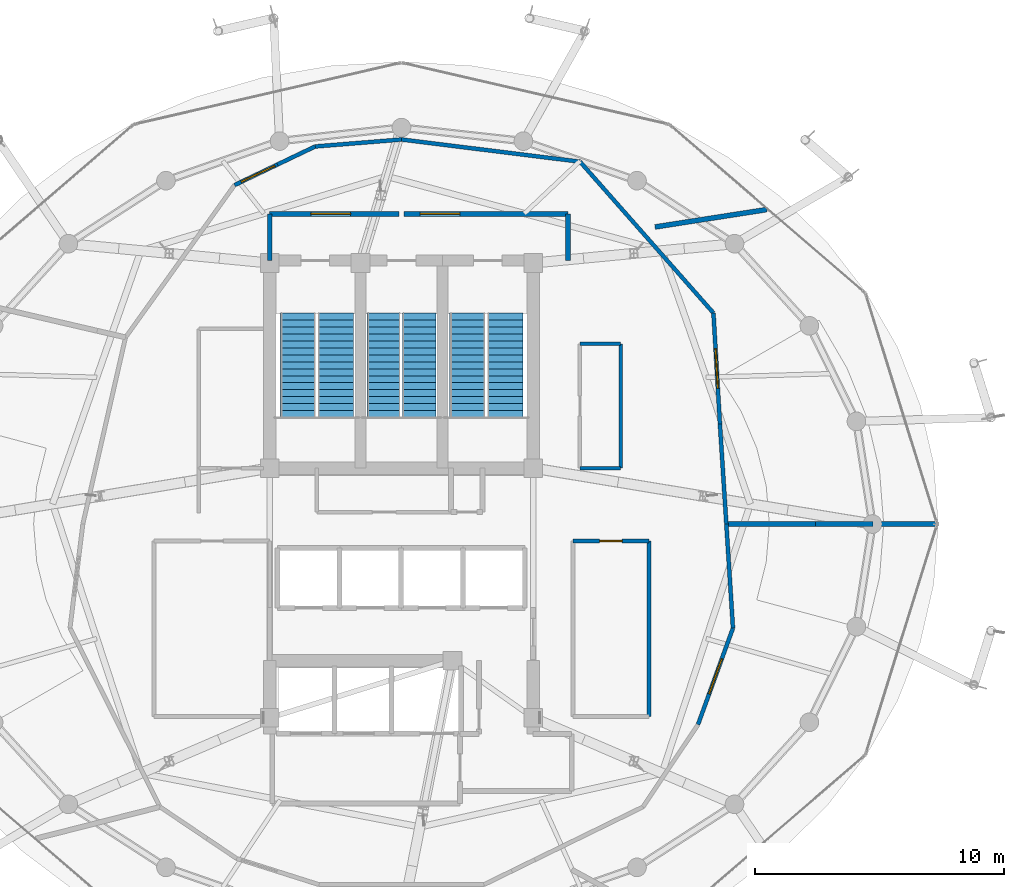
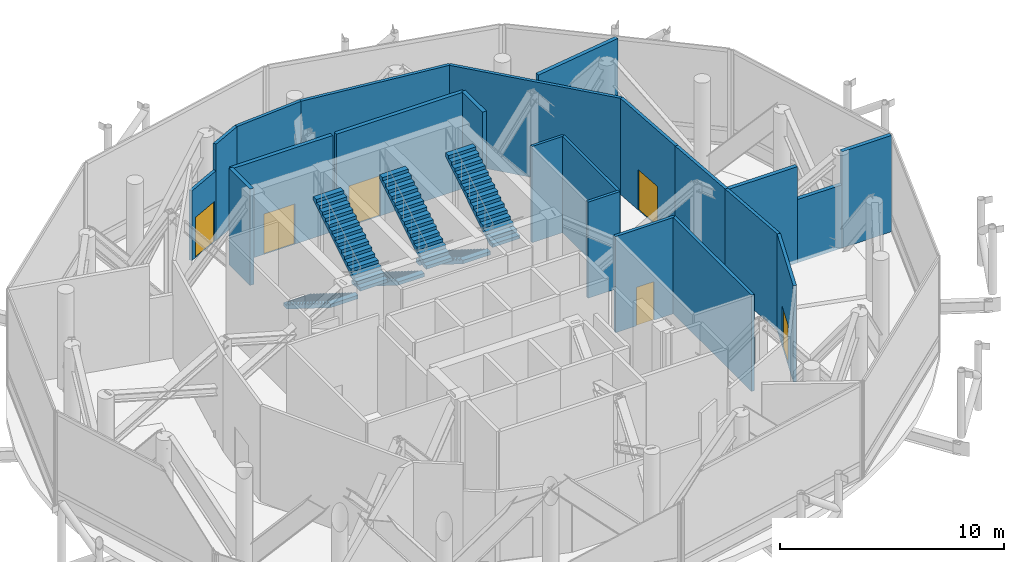
# One storey, part 20 of 26: 22 walls, 6 doors, 6 stair flights, 6 openings, 3 elements without a shape of their own.
"""IFC4 building model written with IfcOpenShell, lengths in metres."""

from ifc_helpers import new_model, si_unit, direction, frame, frame_2d, origin, place, context, subcontext, project, spatial, polyline, rectangle, outline, extrude, material, layer, layer_set, type_object, element, fill, aggregate, save


model = new_model("IFC4")

# Units and contexts
model_context = context("Model", 3, precision=1e-05, world=origin(), true_north=direction((0.0, 1.0)))
body_context = subcontext(model_context, "Body", "Model", "MODEL_VIEW")
ifc_project = project(units=[si_unit("LENGTHUNIT", "METRE"), si_unit("AREAUNIT", "SQUARE_METRE"), si_unit("VOLUMEUNIT", "CUBIC_METRE"), si_unit("PLANEANGLEUNIT", "RADIAN"), si_unit("MASSUNIT", "GRAM", prefix="KILO")], contexts=[model_context])

# Site, building, storey
site_placement = place(None, origin())
site = spatial("IfcSite", under=ifc_project, at=site_placement, CompositionType="ELEMENT")
building_placement = place(site_placement, origin())
building = spatial("IfcBuilding", under=site, at=building_placement, Name="Nuhasar Tower", CompositionType="ELEMENT")
storey_placement = place(building_placement, frame((0.0, 0.0, 301.199951171875)))
storey = spatial("IfcBuildingStorey", under=building, at=storey_placement, Name="L75", CompositionType="ELEMENT", Elevation=301.199951171875)

# Wall
ifc_material_1 = material(Name="Gypsum Board", Category="gypsum")
ifc_layer_1 = layer(ifc_material_1, 0.159912109375)
ifc_layer_set_1 = layer_set([ifc_layer_1], Name="Gypsum Board")
wall_type_1 = type_object("IfcWallType", Name="WL-CORR-160", PredefinedType="PARTITIONING", material=ifc_layer_set_1)
wall_1_placement = place(storey_placement, frame((48.949951171875, 19.050048828125, 0.0), z_axis=(0.0, 0.0, 1.0), x_axis=(0.0, 1.0, 0.0)))
element("IfcWall", 1, at=wall_1_placement, inside=storey, type_object=wall_type_1, Name="L75 Interior Partition RECL-B2-E", PredefinedType="PARTITIONING", context=body_context, shape_type="SweptSolid", body=[
    extrude(rectangle(XDim=7.070068359375, YDim=0.159912109375, at=frame_2d((3.53515625, 0.0))), origin(), (0.0, 0.0, 1.0), 5.25),
])

# Wall, opening, door
wall_2_placement = place(storey_placement, frame((48.949951171875, 26.1201171875, 0.0), z_axis=(0.0, 0.0, 1.0), x_axis=(-1.0, 0.0, 0.0)))
wall_2 = element("IfcWall", 2, at=wall_2_placement, inside=storey, type_object=wall_type_1, Name="L75 Interior Partition RECL-B2-N", PredefinedType="PARTITIONING", context=body_context, shape_type="SweptSolid", body=[
    extrude(rectangle(XDim=3.050048828125, YDim=0.159912109375, at=frame_2d((1.52490234375, 0.0))), origin(), (0.0, 0.0, 1.0), 5.25),
])
opening_1_placement = place(wall_2_placement, frame((1.074951171875, 0.0, 0.0)))
opening_1 = element("IfcOpeningElement", 3, at=opening_1_placement, cuts=wall_2, Name="Opening DR-01", PredefinedType="OPENING", context=body_context, shape_type="SweptSolid", body=[
    extrude(rectangle(XDim=0.89990234375, YDim=2.10009765625, at=frame_2d((0.449951171875, 1.050048828125))), frame((0.0, 0.08984375, 0.0), z_axis=(0.0, -1.0, 0.0), x_axis=(1.0, 0.0, 0.0)), (0.0, 0.0, 1.0), 0.179931640625),
])
ifc_material_2 = material(Name="Timber Oak", Category="wood")
door_type_1 = type_object("IfcDoorType", Name="DR-ROOM-900", OperationType="NOTDEFINED", PredefinedType="DOOR", material=ifc_material_2)
door_1_placement = place(opening_1_placement, origin())
door_1 = element("IfcDoor", 4, at=door_1_placement, inside=storey, type_object=door_type_1, Name="L75 Resident Library Door", OperationType="SINGLE_SWING_LEFT", OverallHeight=2.10009765625, OverallWidth=0.89990234375, PredefinedType="DOOR", context=body_context, shape_type="SweptSolid", body=[
    extrude(rectangle(XDim=0.89990234375, YDim=2.10009765625, at=frame_2d((0.449951171875, 1.050048828125))), frame((0.0, 0.02490234375, 0.0), z_axis=(0.0, -1.0, 0.0), x_axis=(1.0, 0.0, 0.0)), (0.0, 0.0, 1.0), 0.050048828125),
])
fill(opening_1, door_1)

# Wall
wall_3_placement = place(storey_placement, frame((52.070068359375, 26.800048828125, 0.0), z_axis=(0.0, 0.0, 1.0), x_axis=(-0.064030047677, 0.997947971086, 0.0)))
element("IfcWall", 5, at=wall_3_placement, inside=storey, type_object=wall_type_1, Name="L75 Interior Partition CORR-00", PredefinedType="PARTITIONING", context=body_context, shape_type="SweptSolid", body=[
    extrude(rectangle(XDim=4.0302734375, YDim=0.159912109375, at=frame_2d((2.01513671875, 0.0))), origin(), (0.0, 0.0, 1.0), 5.25),
])

# Wall, opening, door
wall_4_placement = place(storey_placement, frame((51.552001953125, 35.291015625, 0.0), z_axis=(0.0, 0.0, 1.0), x_axis=(0.058082602913, -0.998311780577, 0.0)))
wall_4 = element("IfcWall", 6, at=wall_4_placement, inside=storey, type_object=wall_type_1, Name="L75 Interior Partition CORR-02", PredefinedType="PARTITIONING", context=body_context, shape_type="SweptSolid", body=[
    extrude(rectangle(XDim=4.4765625, YDim=0.159912109375, at=frame_2d((2.23828125, 0.0))), origin(), (0.0, 0.0, 1.0), 5.25),
])
opening_2_placement = place(wall_4_placement, frame((1.43798828125, 0.0, 0.0)))
opening_2 = element("IfcOpeningElement", 7, at=opening_2_placement, cuts=wall_4, Name="Opening DC-01", PredefinedType="OPENING", context=body_context, shape_type="SweptSolid", body=[
    extrude(rectangle(XDim=1.60009765625, YDim=2.199951171875, at=frame_2d((0.800048828125, 1.10009765625))), frame((0.0, 0.08984375, 0.0), z_axis=(0.0, -1.0, 0.0), x_axis=(1.0, 0.0, 0.0)), (0.0, 0.0, 1.0), 0.179931640625),
])
ifc_material_3 = material(Name="Steel S355", Category="steel")
door_type_2 = type_object("IfcDoorType", Name="DR-CORR-FD60-1600", OperationType="DOUBLE_DOOR_SINGLE_SWING", PredefinedType="DOOR", material=ifc_material_3)
door_2_placement = place(opening_2_placement, origin())
door_2 = element("IfcDoor", 8, at=door_2_placement, inside=storey, type_object=door_type_2, Name="L75 East Refuge Area Door", OperationType="DOUBLE_DOOR_SINGLE_SWING", OverallHeight=2.199951171875, OverallWidth=1.60009765625, PredefinedType="DOOR", context=body_context, shape_type="SweptSolid", body=[
    extrude(rectangle(XDim=1.60009765625, YDim=2.199951171875, at=frame_2d((0.800048828125, 1.10009765625))), frame((0.0, 0.02490234375, 0.0), z_axis=(0.0, -1.0, 0.0), x_axis=(1.0, 0.0, 0.0)), (0.0, 0.0, 1.0), 0.050048828125),
])
fill(opening_2, door_2)

# Walls
wall_5_placement = place(storey_placement, frame((51.552001953125, 35.291015625, 0.0), z_axis=(0.0, 0.0, 1.0), x_axis=(-0.661421630005, 0.750014284772, 0.0)))
element("IfcWall", 9, at=wall_5_placement, inside=storey, type_object=wall_type_1, Name="L75 Interior Partition CORR-04", PredefinedType="PARTITIONING", context=body_context, shape_type="SweptSolid", body=[
    extrude(rectangle(XDim=8.11572265625, YDim=0.159912109375, at=frame_2d((4.057861328125, 0.0))), origin(), (0.0, 0.0, 1.0), 5.25),
])
wall_6_placement = place(storey_placement, frame((46.18408203125, 41.3779296875, 0.0), z_axis=(0.0, 0.0, 1.0), x_axis=(-0.992378204756, 0.12322945559, 0.0)))
element("IfcWall", 10, at=wall_6_placement, inside=storey, type_object=wall_type_1, Name="L75 Interior Partition CORR-08", PredefinedType="PARTITIONING", context=body_context, shape_type="SweptSolid", body=[
    extrude(rectangle(XDim=7.2392578125, YDim=0.159912109375, at=frame_2d((3.61962890625, 0.0))), origin(), (0.0, 0.0, 1.0), 5.25),
])
wall_7_placement = place(storey_placement, frame((39.0, 42.27001953125, 0.0), z_axis=(0.0, 0.0, 1.0), x_axis=(-0.99676721303, -0.080343780277, 0.0)))
element("IfcWall", 11, at=wall_7_placement, inside=storey, type_object=wall_type_1, Name="L75 Interior Partition CORR-12", PredefinedType="PARTITIONING", context=body_context, shape_type="SweptSolid", body=[
    extrude(rectangle(XDim=3.4853515625, YDim=0.159912109375, at=frame_2d((1.74267578125, 0.0))), origin(), (0.0, 0.0, 1.0), 5.25),
])

# Wall, opening, door
wall_8_placement = place(storey_placement, frame((32.281005859375, 40.43603515625, 0.0), z_axis=(0.0, 0.0, 1.0), x_axis=(0.90176860417, 0.432219139481, 0.0)))
wall_8 = element("IfcWall", 12, at=wall_8_placement, inside=storey, type_object=wall_type_1, Name="L75 Interior Partition CORR-14", PredefinedType="PARTITIONING", context=body_context, shape_type="SweptSolid", body=[
    extrude(rectangle(XDim=1.9228515625, YDim=0.159912109375, at=frame_2d((0.96142578125, 0.0))), origin(), (0.0, 0.0, 1.0), 3.800048828125),
])
opening_3_placement = place(wall_8_placement, frame((0.302978515625, 0.0, 0.0)))
opening_3 = element("IfcOpeningElement", 13, at=opening_3_placement, cuts=wall_8, Name="Opening DP-01", PredefinedType="OPENING", context=body_context, shape_type="SweptSolid", body=[
    extrude(rectangle(XDim=1.5, YDim=2.199951171875, at=frame_2d((0.75, 1.10009765625))), frame((0.0, 0.08984375, 0.0), z_axis=(0.0, -1.0, 0.0), x_axis=(1.0, 0.0, 0.0)), (0.0, 0.0, 1.0), 0.179931640625),
])
door_type_3 = type_object("IfcDoorType", Name="DR-PLANT-FD120-1500", OperationType="DOUBLE_DOOR_SINGLE_SWING", PredefinedType="DOOR", material=ifc_material_3)
door_3_placement = place(opening_3_placement, origin())
door_3 = element("IfcDoor", 14, at=door_3_placement, inside=storey, type_object=door_type_3, Name="L75 North AHU Mechanical Plant Door", OperationType="DOUBLE_DOOR_SINGLE_SWING", OverallHeight=2.199951171875, OverallWidth=1.5, PredefinedType="DOOR", context=body_context, shape_type="SweptSolid", body=[
    extrude(rectangle(XDim=1.5, YDim=2.199951171875, at=frame_2d((0.75, 1.10009765625))), frame((0.0, 0.02490234375, 0.0), z_axis=(0.0, -1.0, 0.0), x_axis=(1.0, 0.0, 0.0)), (0.0, 0.0, 1.0), 0.050048828125),
])
fill(opening_3, door_3)

# Wall
wall_9_placement = place(storey_placement, frame((34.014892578125, 41.26708984375, 0.0), z_axis=(0.0, 0.0, 1.0), x_axis=(0.902075014366, 0.431579272506, 0.0)))
element("IfcWall", 15, at=wall_9_placement, inside=storey, type_object=wall_type_1, Name="L75 Interior Partition CORR-14", PredefinedType="PARTITIONING", context=body_context, shape_type="SweptSolid", body=[
    extrude(rectangle(XDim=1.675048828125, YDim=0.159912109375, at=frame_2d((0.83740234375, 0.0))), origin(), (0.0, 0.0, 1.0), 5.25),
])

# Wall, opening, door
wall_10_placement = place(storey_placement, frame((52.3369140625, 22.614013671875, 0.0), z_axis=(0.0, 0.0, 1.0), x_axis=(-0.34058972089, -0.940212019719, 0.0)))
wall_10 = element("IfcWall", 16, at=wall_10_placement, inside=storey, type_object=wall_type_1, Name="L75 Interior Partition CORR-44", PredefinedType="PARTITIONING", context=body_context, shape_type="SweptSolid", body=[
    extrude(rectangle(XDim=4.131103515625, YDim=0.159912109375, at=frame_2d((2.0654296875, 0.0))), origin(), (0.0, 0.0, 1.0), 5.25),
])
opening_4_placement = place(wall_10_placement, frame((1.31494140625, 0.0, 0.0)))
opening_4 = element("IfcOpeningElement", 17, at=opening_4_placement, cuts=wall_10, Name="Opening DP-01", PredefinedType="OPENING", context=body_context, shape_type="SweptSolid", body=[
    extrude(rectangle(XDim=1.5, YDim=2.199951171875, at=frame_2d((0.75, 1.10009765625))), frame((0.0, 0.08984375, 0.0), z_axis=(0.0, -1.0, 0.0), x_axis=(1.0, 0.0, 0.0)), (0.0, 0.0, 1.0), 0.179931640625),
])
door_4_placement = place(opening_4_placement, origin())
door_4 = element("IfcDoor", 18, at=door_4_placement, inside=storey, type_object=door_type_3, Name="L75 South-East Electrical Switchgear Plant Door", OperationType="DOUBLE_DOOR_SINGLE_SWING", OverallHeight=2.199951171875, OverallWidth=1.5, PredefinedType="DOOR", context=body_context, shape_type="SweptSolid", body=[
    extrude(rectangle(XDim=1.5, YDim=2.199951171875, at=frame_2d((0.75, 1.10009765625))), frame((0.0, 0.02490234375, 0.0), z_axis=(0.0, -1.0, 0.0), x_axis=(1.0, 0.0, 0.0)), (0.0, 0.0, 1.0), 0.050048828125),
])
fill(opening_4, door_4)

# Walls
wall_11_placement = place(storey_placement, frame((52.3369140625, 22.614013671875, 0.0), z_axis=(0.0, 0.0, 1.0), x_axis=(-0.063617518313, 0.997974354061, 0.0)))
element("IfcWall", 19, at=wall_11_placement, inside=storey, type_object=wall_type_1, Name="L75 Interior Partition CORR-46", PredefinedType="PARTITIONING", context=body_context, shape_type="SweptSolid", body=[
    extrude(rectangle(XDim=4.194580078125, YDim=0.159912109375, at=frame_2d((2.09716796875, 0.0))), origin(), (0.0, 0.0, 1.0), 5.25),
])
ifc_material_4 = material(Name="Concrete C45/55", Category="concrete")
ifc_layer_2 = layer(ifc_material_4, 0.199951171875)
ifc_layer_set_2 = layer_set([ifc_layer_2], Name="Concrete C45/55")
wall_type_2 = type_object("IfcWallType", Name="WL-LOBBY-200", PredefinedType="SOLIDWALL", material=ifc_layer_set_2)
for number, where, z_axis, x_axis, name in (
    (20, (33.699951171875, 37.39990234375, 0.0), (0.0, 0.0, 1.0), (0.0, 1.0, 0.0), "L75 Interior Partition NSL-W"),
    (21, (45.699951171875, 37.39990234375, 0.0), (0.0, 0.0, 1.0), (0.0, 1.0, 0.0), "L75 Interior Partition NSL-E"),
):
    element("IfcWall", number, at=place(storey_placement, frame(where, z_axis=z_axis, x_axis=x_axis)), inside=storey, type_object=wall_type_2, Name=name, PredefinedType="SOLIDWALL", context=body_context, shape_type="SweptSolid", body=[
        extrude(rectangle(XDim=1.880126953125, YDim=0.199951171875, at=frame_2d((0.93994140625, 0.0))), origin(), (0.0, 0.0, 1.0), 5.25),
    ])

# Wall, opening, door
wall_12_placement = place(storey_placement, frame((38.89990234375, 39.280029296875, 0.0), z_axis=(0.0, 0.0, 1.0), x_axis=(-1.0, 0.0, 0.0)))
wall_12 = element("IfcWall", 22, at=wall_12_placement, inside=storey, type_object=wall_type_2, Name="L75 Interior Partition NSL-N1", PredefinedType="SOLIDWALL", context=body_context, shape_type="SweptSolid", body=[
    extrude(rectangle(XDim=5.199951171875, YDim=0.199951171875, at=frame_2d((2.60009765625, 0.0))), origin(), (0.0, 0.0, 1.0), 5.25),
])
opening_5_placement = place(wall_12_placement, frame((1.949951171875, 0.0, 0.0)))
opening_5 = element("IfcOpeningElement", 23, at=opening_5_placement, cuts=wall_12, Name="Opening DC-01", PredefinedType="OPENING", context=body_context, shape_type="SweptSolid", body=[
    extrude(rectangle(XDim=1.60009765625, YDim=2.199951171875, at=frame_2d((0.800048828125, 1.10009765625))), frame((0.0, 0.10986328125, 0.0), z_axis=(0.0, -1.0, 0.0), x_axis=(1.0, 0.0, 0.0)), (0.0, 0.0, 1.0), 0.219970703125),
])
door_5_placement = place(opening_5_placement, origin())
door_5 = element("IfcDoor", 24, at=door_5_placement, inside=storey, type_object=door_type_2, Name="L75 North Stair Lobby West Door", OperationType="DOUBLE_DOOR_SINGLE_SWING", OverallHeight=2.199951171875, OverallWidth=1.60009765625, PredefinedType="DOOR", context=body_context, shape_type="SweptSolid", body=[
    extrude(rectangle(XDim=1.60009765625, YDim=2.199951171875, at=frame_2d((0.800048828125, 1.10009765625))), frame((0.0, 0.02490234375, 0.0), z_axis=(0.0, -1.0, 0.0), x_axis=(1.0, 0.0, 0.0)), (0.0, 0.0, 1.0), 0.050048828125),
])
fill(opening_5, door_5)

wall_13_placement = place(storey_placement, frame((45.699951171875, 39.280029296875, 0.0), z_axis=(0.0, 0.0, 1.0), x_axis=(-1.0, 0.0, 0.0)))
wall_13 = element("IfcWall", 25, at=wall_13_placement, inside=storey, type_object=wall_type_2, Name="L75 Interior Partition NSL-N2", PredefinedType="SOLIDWALL", context=body_context, shape_type="SweptSolid", body=[
    extrude(rectangle(XDim=6.599853515625, YDim=0.199951171875, at=frame_2d((3.2998046875, 0.0))), origin(), (0.0, 0.0, 1.0), 5.25),
])
opening_6_placement = place(wall_13_placement, frame((4.35009765625, 0.0, 0.0)))
opening_6 = element("IfcOpeningElement", 26, at=opening_6_placement, cuts=wall_13, Name="Opening DC-01", PredefinedType="OPENING", context=body_context, shape_type="SweptSolid", body=[
    extrude(rectangle(XDim=1.60009765625, YDim=2.199951171875, at=frame_2d((0.800048828125, 1.10009765625))), frame((0.0, 0.10986328125, 0.0), z_axis=(0.0, -1.0, 0.0), x_axis=(1.0, 0.0, 0.0)), (0.0, 0.0, 1.0), 0.219970703125),
])
door_6_placement = place(opening_6_placement, origin())
door_6 = element("IfcDoor", 27, at=door_6_placement, inside=storey, type_object=door_type_2, Name="L75 North Stair Lobby East Door", OperationType="DOUBLE_DOOR_SINGLE_SWING", OverallHeight=2.199951171875, OverallWidth=1.60009765625, PredefinedType="DOOR", context=body_context, shape_type="SweptSolid", body=[
    extrude(rectangle(XDim=1.60009765625, YDim=2.199951171875, at=frame_2d((0.800048828125, 1.10009765625))), frame((0.0, 0.02490234375, 0.0), z_axis=(0.0, -1.0, 0.0), x_axis=(1.0, 0.0, 0.0)), (0.0, 0.0, 1.0), 0.050048828125),
])
fill(opening_6, door_6)

# Walls
wall_14_placement = place(storey_placement, frame((52.070068359375, 26.800048828125, 0.0), z_axis=(0.0, 0.0, 1.0), x_axis=(1.0, 0.0, 0.0)))
element("IfcWall", 28, at=wall_14_placement, inside=storey, type_object=wall_type_2, Name="L75 Interior Partition WRAD-00", PredefinedType="SOLIDWALL", context=body_context, shape_type="SweptSolid", body=[
    extrude(rectangle(XDim=3.58203125, YDim=0.199951171875, at=frame_2d((1.791015625, 0.0))), origin(), (0.0, 0.0, 1.0), 5.25),
])
wall_15_placement = place(storey_placement, frame((55.652099609375, 26.800048828125, 0.0), z_axis=(0.0, 0.0, 1.0), x_axis=(1.0, 0.0, 0.0)))
element("IfcWall", 29, at=wall_15_placement, inside=storey, type_object=wall_type_2, Name="L75 Interior Partition WRAD-00", PredefinedType="SOLIDWALL", context=body_context, shape_type="SweptSolid", body=[
    extrude(rectangle(XDim=2.31396484375, YDim=0.199951171875, at=frame_2d((1.156982421875, 0.0))), origin(), (0.0, 0.0, 1.0), 3.449951171875),
])
wall_16_placement = place(storey_placement, frame((57.966064453125, 26.800048828125, 0.0), z_axis=(0.0, 0.0, 1.0), x_axis=(1.0, 0.0, 0.0)))
element("IfcWall", 30, at=wall_16_placement, inside=storey, type_object=wall_type_2, Name="L75 Interior Partition WRAD-00", PredefinedType="SOLIDWALL", context=body_context, shape_type="SweptSolid", body=[
    extrude(rectangle(XDim=2.558837890625, YDim=0.199951171875, at=frame_2d((1.279296875, 0.0))), origin(), (0.0, 0.0, 1.0), 5.25),
])
wall_17_placement = place(storey_placement, frame((49.200927734375, 38.751953125, 0.0), z_axis=(0.0, 0.0, 1.0), x_axis=(0.988090587407, 0.153873295533, 0.0)))
element("IfcWall", 31, at=wall_17_placement, inside=storey, type_object=wall_type_2, Name="L75 Interior Partition WRAD-06", PredefinedType="SOLIDWALL", context=body_context, shape_type="SweptSolid", body=[
    extrude(rectangle(XDim=4.55517578125, YDim=0.199951171875, at=frame_2d((2.277587890625, 0.0))), origin(), (0.0, 0.0, 1.0), 5.25),
])
ifc_material_5 = material(Name="Concrete C40/50 precast", Category="concrete")
ifc_layer_3 = layer(ifc_material_5, 0.139892578125)
ifc_layer_set_3 = layer_set([ifc_layer_3], Name="Concrete C40/50 precast")
wall_type_3 = type_object("IfcWallType", Name="WL-WET-140", PredefinedType="PARTITIONING", material=ifc_layer_set_3)
for number, where, z_axis, x_axis, name in (
    (32, (46.179931640625, 29.050048828125, 0.0), (0.0, 0.0, 1.0), (1.0, 0.0, 0.0), "L75 Interior Partition K3-NE-S"),
    (33, (46.179931640625, 34.050048828125, 0.0), (0.0, 0.0, 1.0), (1.0, 0.0, 0.0), "L75 Interior Partition K3-NE-N"),
):
    element("IfcWall", number, at=place(storey_placement, frame(where, z_axis=z_axis, x_axis=x_axis)), inside=storey, type_object=wall_type_3, Name=name, PredefinedType="PARTITIONING", context=body_context, shape_type="SweptSolid", body=[
        extrude(rectangle(XDim=1.64013671875, YDim=0.139892578125, at=frame_2d((0.820068359375, 0.0))), origin(), (0.0, 0.0, 1.0), 5.25),
    ])
wall_18_placement = place(storey_placement, frame((47.820068359375, 29.050048828125, 0.0), z_axis=(0.0, 0.0, 1.0), x_axis=(0.0, 1.0, 0.0)))
element("IfcWall", 34, at=wall_18_placement, inside=storey, type_object=wall_type_3, Name="L75 Interior Partition K3-NE-E", PredefinedType="PARTITIONING", context=body_context, shape_type="SweptSolid", body=[
    extrude(rectangle(XDim=5.0, YDim=0.139892578125, at=frame_2d((2.5, 0.0))), origin(), (0.0, 0.0, 1.0), 5.25),
])

# Stair, stair flights
stair_type_1 = type_object("IfcStairType", Name="STR-ST-01-2F-32R-1750", PredefinedType="HALF_TURN_STAIR", material=ifc_material_4)
stair_1_placement = place(storey_placement, origin())
stair_1 = element("IfcStair", 35, at=stair_1_placement, inside=storey, type_object=stair_type_1, Name="L75 Exit Stair ST-01", PredefinedType="HALF_TURN_STAIR")
stair_flight_type_1 = type_object("IfcStairFlightType", Name="SFL-ST-01-16R-1750", PredefinedType="STRAIGHT", material=ifc_material_4)
stair_flight_1_placement = place(storey_placement, frame((34.830078125, 35.284912109375, 0.0), z_axis=(0.0, 0.0, 1.0), x_axis=(0.0, -1.0, 0.0)))
stair_flight_1 = element("IfcStairFlight", 36, at=stair_flight_1_placement, type_object=stair_flight_type_1, Name="ST-01 flight 1", NumberOfRisers=16, NumberOfTreads=15, PredefinedType="STRAIGHT", RiserHeight=0.175, TreadLength=0.28, context=body_context, shape_type="SweptSolid", body=[
    extrude(outline(polyline([(0.0, 0.0), (0.0, 0.175048828125), (0.280029296875, 0.175048828125), (0.280029296875, 0.35009765625), (0.56005859375, 0.35009765625), (0.56005859375, 0.52490234375), (0.840087890625, 0.52490234375), (0.840087890625, 0.699951171875), (1.1201171875, 0.699951171875), (1.1201171875, 0.875), (1.39990234375, 0.875), (1.39990234375, 1.050048828125), (1.679931640625, 1.050048828125), (1.679931640625, 1.22509765625), (1.9599609375, 1.22509765625), (1.9599609375, 1.39990234375), (2.239990234375, 1.39990234375), (2.239990234375, 1.574951171875), (2.52001953125, 1.574951171875), (2.52001953125, 1.75), (2.800048828125, 1.75), (2.800048828125, 1.925048828125), (3.080078125, 1.925048828125), (3.080078125, 2.10009765625), (3.360107421875, 2.10009765625), (3.360107421875, 2.27490234375), (3.639892578125, 2.27490234375), (3.639892578125, 2.449951171875), (3.919921875, 2.449951171875), (3.919921875, 2.625), (4.199951171875, 2.625), (4.199951171875, 2.800048828125), (4.199951171875, 2.4365234375), (0.3017578125, 0.0), (0.0, 0.0)])), frame((0.0, 0.7099609375, 0.0), z_axis=(0.0, -1.0, 0.0), x_axis=(1.0, 0.0, 0.0)), (0.0, 0.0, 1.0), 1.419921875),
])
stair_flight_2_placement = place(storey_placement, frame((36.35009765625, 31.0849609375, 2.800048828125), z_axis=(0.0, 0.0, 1.0), x_axis=(0.0, 1.0, 0.0)))
stair_flight_2 = element("IfcStairFlight", 37, at=stair_flight_2_placement, type_object=stair_flight_type_1, Name="ST-01 flight 2", NumberOfRisers=16, NumberOfTreads=15, PredefinedType="STRAIGHT", RiserHeight=0.175, TreadLength=0.28, context=body_context, shape_type="SweptSolid", body=[
    extrude(outline(polyline([(0.0, 0.0), (0.0, 0.175048828125), (0.280029296875, 0.175048828125), (0.280029296875, 0.35009765625), (0.56005859375, 0.35009765625), (0.56005859375, 0.52490234375), (0.840087890625, 0.52490234375), (0.840087890625, 0.699951171875), (1.1201171875, 0.699951171875), (1.1201171875, 0.875), (1.39990234375, 0.875), (1.39990234375, 1.050048828125), (1.679931640625, 1.050048828125), (1.679931640625, 1.22509765625), (1.9599609375, 1.22509765625), (1.9599609375, 1.39990234375), (2.239990234375, 1.39990234375), (2.239990234375, 1.574951171875), (2.52001953125, 1.574951171875), (2.52001953125, 1.75), (2.800048828125, 1.75), (2.800048828125, 1.925048828125), (3.080078125, 1.925048828125), (3.080078125, 2.10009765625), (3.360107421875, 2.10009765625), (3.360107421875, 2.27490234375), (3.639892578125, 2.27490234375), (3.639892578125, 2.449951171875), (3.919921875, 2.449951171875), (3.919921875, 2.625), (4.199951171875, 2.625), (4.199951171875, 2.800048828125), (4.199951171875, 2.4365234375), (0.3017578125, 0.0), (0.0, 0.0)])), frame((0.0, 0.7099609375, 0.0), z_axis=(0.0, -1.0, 0.0), x_axis=(1.0, 0.0, 0.0)), (0.0, 0.0, 1.0), 1.419921875),
])
aggregate(stair_1, [stair_flight_1, stair_flight_2])

stair_type_2 = type_object("IfcStairType", Name="STR-ST-02-2F-32R-1750", PredefinedType="HALF_TURN_STAIR", material=ifc_material_4)
stair_2_placement = place(storey_placement, origin())
stair_2 = element("IfcStair", 38, at=stair_2_placement, inside=storey, type_object=stair_type_2, Name="L75 Exit Stair ST-02", PredefinedType="HALF_TURN_STAIR")
stair_flight_type_2 = type_object("IfcStairFlightType", Name="SFL-ST-02-16R-1750", PredefinedType="STRAIGHT", material=ifc_material_4)
stair_flight_3_placement = place(storey_placement, frame((41.64990234375, 35.284912109375, 0.0), z_axis=(0.0, 0.0, 1.0), x_axis=(0.0, -1.0, 0.0)))
stair_flight_3 = element("IfcStairFlight", 39, at=stair_flight_3_placement, type_object=stair_flight_type_2, Name="ST-02 flight 1", NumberOfRisers=16, NumberOfTreads=15, PredefinedType="STRAIGHT", RiserHeight=0.175, TreadLength=0.28, context=body_context, shape_type="SweptSolid", body=[
    extrude(outline(polyline([(0.0, 0.0), (0.0, 0.175048828125), (0.280029296875, 0.175048828125), (0.280029296875, 0.35009765625), (0.56005859375, 0.35009765625), (0.56005859375, 0.52490234375), (0.840087890625, 0.52490234375), (0.840087890625, 0.699951171875), (1.1201171875, 0.699951171875), (1.1201171875, 0.875), (1.39990234375, 0.875), (1.39990234375, 1.050048828125), (1.679931640625, 1.050048828125), (1.679931640625, 1.22509765625), (1.9599609375, 1.22509765625), (1.9599609375, 1.39990234375), (2.239990234375, 1.39990234375), (2.239990234375, 1.574951171875), (2.52001953125, 1.574951171875), (2.52001953125, 1.75), (2.800048828125, 1.75), (2.800048828125, 1.925048828125), (3.080078125, 1.925048828125), (3.080078125, 2.10009765625), (3.360107421875, 2.10009765625), (3.360107421875, 2.27490234375), (3.639892578125, 2.27490234375), (3.639892578125, 2.449951171875), (3.919921875, 2.449951171875), (3.919921875, 2.625), (4.199951171875, 2.625), (4.199951171875, 2.800048828125), (4.199951171875, 2.4365234375), (0.3017578125, 0.0), (0.0, 0.0)])), frame((0.0, 0.7099609375, 0.0), z_axis=(0.0, -1.0, 0.0), x_axis=(1.0, 0.0, 0.0)), (0.0, 0.0, 1.0), 1.419921875),
])
stair_flight_4_placement = place(storey_placement, frame((43.169921875, 31.0849609375, 2.800048828125), z_axis=(0.0, 0.0, 1.0), x_axis=(0.0, 1.0, 0.0)))
stair_flight_4 = element("IfcStairFlight", 40, at=stair_flight_4_placement, type_object=stair_flight_type_2, Name="ST-02 flight 2", NumberOfRisers=16, NumberOfTreads=15, PredefinedType="STRAIGHT", RiserHeight=0.175, TreadLength=0.28, context=body_context, shape_type="SweptSolid", body=[
    extrude(outline(polyline([(0.0, 0.0), (0.0, 0.175048828125), (0.280029296875, 0.175048828125), (0.280029296875, 0.35009765625), (0.56005859375, 0.35009765625), (0.56005859375, 0.52490234375), (0.840087890625, 0.52490234375), (0.840087890625, 0.699951171875), (1.1201171875, 0.699951171875), (1.1201171875, 0.875), (1.39990234375, 0.875), (1.39990234375, 1.050048828125), (1.679931640625, 1.050048828125), (1.679931640625, 1.22509765625), (1.9599609375, 1.22509765625), (1.9599609375, 1.39990234375), (2.239990234375, 1.39990234375), (2.239990234375, 1.574951171875), (2.52001953125, 1.574951171875), (2.52001953125, 1.75), (2.800048828125, 1.75), (2.800048828125, 1.925048828125), (3.080078125, 1.925048828125), (3.080078125, 2.10009765625), (3.360107421875, 2.10009765625), (3.360107421875, 2.27490234375), (3.639892578125, 2.27490234375), (3.639892578125, 2.449951171875), (3.919921875, 2.449951171875), (3.919921875, 2.625), (4.199951171875, 2.625), (4.199951171875, 2.800048828125), (4.199951171875, 2.4365234375), (0.3017578125, 0.0), (0.0, 0.0)])), frame((0.0, 0.7099609375, 0.0), z_axis=(0.0, -1.0, 0.0), x_axis=(1.0, 0.0, 0.0)), (0.0, 0.0, 1.0), 1.419921875),
])
aggregate(stair_2, [stair_flight_3, stair_flight_4])

stair_type_3 = type_object("IfcStairType", Name="STR-ST-03-2F-32R-1750", PredefinedType="HALF_TURN_STAIR", material=ifc_material_4)
stair_3_placement = place(storey_placement, origin())
stair_3 = element("IfcStair", 41, at=stair_3_placement, inside=storey, type_object=stair_type_3, Name="L75 Exit Stair ST-03", PredefinedType="HALF_TURN_STAIR")
stair_flight_type_3 = type_object("IfcStairFlightType", Name="SFL-ST-03-16R-1750", PredefinedType="STRAIGHT", material=ifc_material_4)
stair_flight_5_placement = place(storey_placement, frame((38.280029296875, 35.284912109375, 0.0), z_axis=(0.0, 0.0, 1.0), x_axis=(0.0, -1.0, 0.0)))
stair_flight_5 = element("IfcStairFlight", 42, at=stair_flight_5_placement, type_object=stair_flight_type_3, Name="ST-03 flight 1", NumberOfRisers=16, NumberOfTreads=15, PredefinedType="STRAIGHT", RiserHeight=0.175, TreadLength=0.28, context=body_context, shape_type="SweptSolid", body=[
    extrude(outline(polyline([(0.0, 0.0), (0.0, 0.175048828125), (0.280029296875, 0.175048828125), (0.280029296875, 0.35009765625), (0.56005859375, 0.35009765625), (0.56005859375, 0.52490234375), (0.840087890625, 0.52490234375), (0.840087890625, 0.699951171875), (1.1201171875, 0.699951171875), (1.1201171875, 0.875), (1.39990234375, 0.875), (1.39990234375, 1.050048828125), (1.679931640625, 1.050048828125), (1.679931640625, 1.22509765625), (1.9599609375, 1.22509765625), (1.9599609375, 1.39990234375), (2.239990234375, 1.39990234375), (2.239990234375, 1.574951171875), (2.52001953125, 1.574951171875), (2.52001953125, 1.75), (2.800048828125, 1.75), (2.800048828125, 1.925048828125), (3.080078125, 1.925048828125), (3.080078125, 2.10009765625), (3.360107421875, 2.10009765625), (3.360107421875, 2.27490234375), (3.639892578125, 2.27490234375), (3.639892578125, 2.449951171875), (3.919921875, 2.449951171875), (3.919921875, 2.625), (4.199951171875, 2.625), (4.199951171875, 2.800048828125), (4.199951171875, 2.4365234375), (0.3017578125, 0.0), (0.0, 0.0)])), frame((0.0, 0.669921875, 0.0), z_axis=(0.0, -1.0, 0.0), x_axis=(1.0, 0.0, 0.0)), (0.0, 0.0, 1.0), 1.340087890625),
])
stair_flight_6_placement = place(storey_placement, frame((39.719970703125, 31.0849609375, 2.800048828125), z_axis=(0.0, 0.0, 1.0), x_axis=(0.0, 1.0, 0.0)))
stair_flight_6 = element("IfcStairFlight", 43, at=stair_flight_6_placement, type_object=stair_flight_type_3, Name="ST-03 flight 2", NumberOfRisers=16, NumberOfTreads=15, PredefinedType="STRAIGHT", RiserHeight=0.175, TreadLength=0.28, context=body_context, shape_type="SweptSolid", body=[
    extrude(outline(polyline([(0.0, 0.0), (0.0, 0.175048828125), (0.280029296875, 0.175048828125), (0.280029296875, 0.35009765625), (0.56005859375, 0.35009765625), (0.56005859375, 0.52490234375), (0.840087890625, 0.52490234375), (0.840087890625, 0.699951171875), (1.1201171875, 0.699951171875), (1.1201171875, 0.875), (1.39990234375, 0.875), (1.39990234375, 1.050048828125), (1.679931640625, 1.050048828125), (1.679931640625, 1.22509765625), (1.9599609375, 1.22509765625), (1.9599609375, 1.39990234375), (2.239990234375, 1.39990234375), (2.239990234375, 1.574951171875), (2.52001953125, 1.574951171875), (2.52001953125, 1.75), (2.800048828125, 1.75), (2.800048828125, 1.925048828125), (3.080078125, 1.925048828125), (3.080078125, 2.10009765625), (3.360107421875, 2.10009765625), (3.360107421875, 2.27490234375), (3.639892578125, 2.27490234375), (3.639892578125, 2.449951171875), (3.919921875, 2.449951171875), (3.919921875, 2.625), (4.199951171875, 2.625), (4.199951171875, 2.800048828125), (4.199951171875, 2.4365234375), (0.3017578125, 0.0), (0.0, 0.0)])), frame((0.0, 0.669921875, 0.0), z_axis=(0.0, -1.0, 0.0), x_axis=(1.0, 0.0, 0.0)), (0.0, 0.0, 1.0), 1.340087890625),
])
aggregate(stair_3, [stair_flight_5, stair_flight_6])

save(model, "model.ifc")
